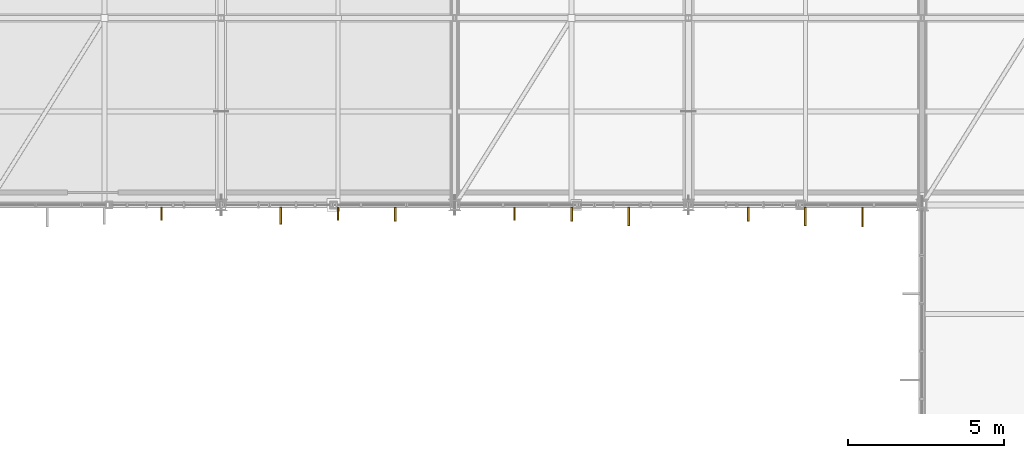
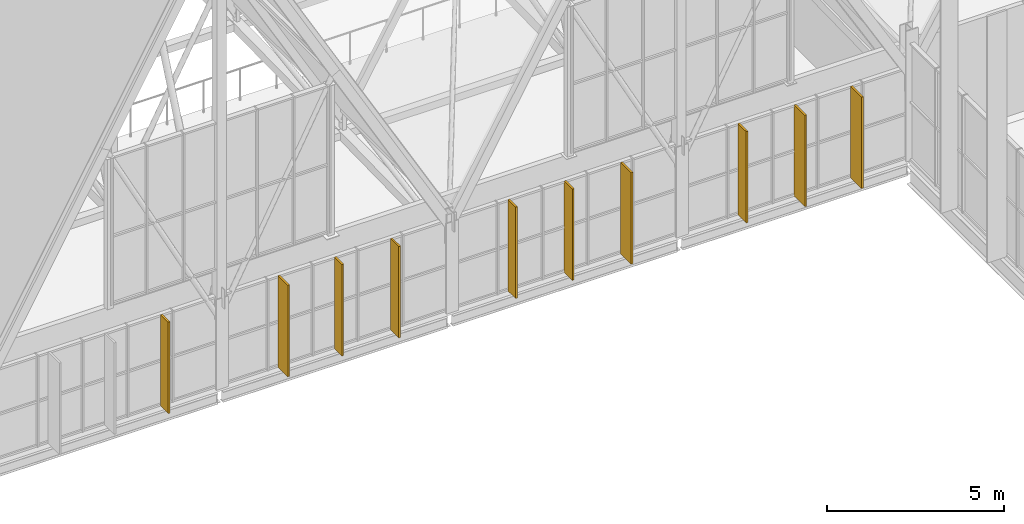
# One storey, part 321 of 324: 10 coverings.
"""IFC4 building model written with IfcOpenShell, lengths in metres."""

from ifc_helpers import new_model, si_unit, direction, frame, origin, origin_2d, place, context, subcontext, project, spatial, rectangle, extrude, material, layer, layer_set, type_object, element, save


model = new_model("IFC4")

# Units and contexts
model_context = context("Model", 3, precision=1e-05, world=origin(), true_north=direction((0.0, 1.0)))
body_context = subcontext(model_context, "Body", "Model", "MODEL_VIEW")
ifc_project = project(units=[si_unit("LENGTHUNIT", "METRE"), si_unit("AREAUNIT", "SQUARE_METRE"), si_unit("VOLUMEUNIT", "CUBIC_METRE"), si_unit("PLANEANGLEUNIT", "RADIAN"), si_unit("MASSUNIT", "GRAM", prefix="KILO")], contexts=[model_context])

# Site, building, storey
site_placement = place(None, origin())
site = spatial("IfcSite", under=ifc_project, at=site_placement, CompositionType="ELEMENT")
building_placement = place(site_placement, origin())
building = spatial("IfcBuilding", under=site, at=building_placement, Name="Solvenia Promenade Tram Depot", CompositionType="ELEMENT")
storey_placement = place(building_placement, frame((0.0, 0.0, 4.5)))
storey = spatial("IfcBuildingStorey", under=building, at=storey_placement, Name="L01", CompositionType="ELEMENT", Elevation=4.5)

# Coverings
ifc_material = material(Name="Anodized aluminium AW-6063 T6", Category="aluminium")
ifc_layer = layer(ifc_material, 0.06005859375, Name="Anodized aluminium AW-6063 T6", Category="aluminium")
ifc_layer_set = layer_set([ifc_layer], Name="Anodized aluminium AW-6063 T6")
covering_type = type_object("IfcCoveringType", Name="Fin-Param-560", PredefinedType="CLADDING", material=ifc_layer_set)
covering_1_placement = place(storey_placement, frame((80.5849609375, 65.719482421875, 0.0), z_axis=(0.0, 0.0, 1.0), x_axis=(1.0, 0.0, 0.0)))
element("IfcCovering", 1, at=covering_1_placement, inside=storey, type_object=covering_type, Name="Parametric Vertical Brise-Soleil Fin 127", PredefinedType="CLADDING", context=body_context, shape_type="SweptSolid", body=[
    extrude(rectangle(XDim=0.06005859375, YDim=0.430908203125, at=origin_2d()), origin(), (0.0, 0.0, 1.0), 3.14990234375),
])
covering_2_placement = place(storey_placement, frame((84.4150390625, 65.658935546875, 0.0), z_axis=(0.0, 0.0, 1.0), x_axis=(1.0, 0.0, 0.0)))
element("IfcCovering", 2, at=covering_2_placement, inside=storey, type_object=covering_type, Name="Parametric Vertical Brise-Soleil Fin 131", PredefinedType="CLADDING", context=body_context, shape_type="SweptSolid", body=[
    extrude(rectangle(XDim=0.06005859375, YDim=0.552001953125, at=origin_2d()), origin(), (0.0, 0.0, 1.0), 3.14990234375),
])
covering_3_placement = place(storey_placement, frame((86.25, 65.719970703125, 0.0), z_axis=(0.0, 0.0, 1.0), x_axis=(1.0, 0.0, 0.0)))
element("IfcCovering", 3, at=covering_3_placement, inside=storey, type_object=covering_type, Name="Parametric Vertical Brise-Soleil Fin 132", PredefinedType="CLADDING", context=body_context, shape_type="SweptSolid", body=[
    extrude(rectangle(XDim=0.06005859375, YDim=0.429931640625, at=origin_2d()), origin(), (0.0, 0.0, 1.0), 3.14990234375),
])
covering_4_placement = place(storey_placement, frame((88.0849609375, 65.70458984375, 0.0), z_axis=(0.0, 0.0, 1.0), x_axis=(1.0, 0.0, 0.0)))
element("IfcCovering", 4, at=covering_4_placement, inside=storey, type_object=covering_type, Name="Parametric Vertical Brise-Soleil Fin 133", PredefinedType="CLADDING", context=body_context, shape_type="SweptSolid", body=[
    extrude(rectangle(XDim=0.06005859375, YDim=0.4609375, at=origin_2d()), origin(), (0.0, 0.0, 1.0), 3.14990234375),
])
covering_5_placement = place(storey_placement, frame((91.9150390625, 65.719970703125, 0.0), z_axis=(0.0, 0.0, 1.0), x_axis=(1.0, 0.0, 0.0)))
element("IfcCovering", 5, at=covering_5_placement, inside=storey, type_object=covering_type, Name="Parametric Vertical Brise-Soleil Fin 137", PredefinedType="CLADDING", context=body_context, shape_type="SweptSolid", body=[
    extrude(rectangle(XDim=0.06005859375, YDim=0.429931640625, at=origin_2d()), origin(), (0.0, 0.0, 1.0), 3.14990234375),
])
covering_6_placement = place(storey_placement, frame((93.75, 65.7041015625, 0.0), z_axis=(0.0, 0.0, 1.0), x_axis=(1.0, 0.0, 0.0)))
element("IfcCovering", 6, at=covering_6_placement, inside=storey, type_object=covering_type, Name="Parametric Vertical Brise-Soleil Fin 138", PredefinedType="CLADDING", context=body_context, shape_type="SweptSolid", body=[
    extrude(rectangle(XDim=0.06005859375, YDim=0.4619140625, at=origin_2d()), origin(), (0.0, 0.0, 1.0), 3.14990234375),
])
covering_7_placement = place(storey_placement, frame((95.5849609375, 65.635986328125, 0.0), z_axis=(0.0, 0.0, 1.0), x_axis=(1.0, 0.0, 0.0)))
element("IfcCovering", 7, at=covering_7_placement, inside=storey, type_object=covering_type, Name="Parametric Vertical Brise-Soleil Fin 139", PredefinedType="CLADDING", context=body_context, shape_type="SweptSolid", body=[
    extrude(rectangle(XDim=0.06005859375, YDim=0.597900390625, at=origin_2d()), origin(), (0.0, 0.0, 1.0), 3.14990234375),
])
covering_8_placement = place(storey_placement, frame((99.4150390625, 65.702880859375, 0.0), z_axis=(0.0, 0.0, 1.0), x_axis=(1.0, 0.0, 0.0)))
element("IfcCovering", 8, at=covering_8_placement, inside=storey, type_object=covering_type, Name="Parametric Vertical Brise-Soleil Fin 143", PredefinedType="CLADDING", context=body_context, shape_type="SweptSolid", body=[
    extrude(rectangle(XDim=0.06005859375, YDim=0.464111328125, at=origin_2d()), origin(), (0.0, 0.0, 1.0), 3.14990234375),
])
covering_9_placement = place(storey_placement, frame((101.25, 65.635009765625, 0.0), z_axis=(0.0, 0.0, 1.0), x_axis=(1.0, 0.0, 0.0)))
element("IfcCovering", 9, at=covering_9_placement, inside=storey, type_object=covering_type, Name="Parametric Vertical Brise-Soleil Fin 144", PredefinedType="CLADDING", context=body_context, shape_type="SweptSolid", body=[
    extrude(rectangle(XDim=0.06005859375, YDim=0.60009765625, at=origin_2d()), origin(), (0.0, 0.0, 1.0), 3.14990234375),
])
covering_10_placement = place(storey_placement, frame((103.0849609375, 65.62060546875, 0.0), z_axis=(0.0, 0.0, 1.0), x_axis=(1.0, 0.0, 0.0)))
element("IfcCovering", 10, at=covering_10_placement, inside=storey, type_object=covering_type, Name="Parametric Vertical Brise-Soleil Fin 145", PredefinedType="CLADDING", context=body_context, shape_type="SweptSolid", body=[
    extrude(rectangle(XDim=0.06005859375, YDim=0.62890625, at=origin_2d()), origin(), (0.0, 0.0, 1.0), 3.14990234375),
])

save(model, "model.ifc")
